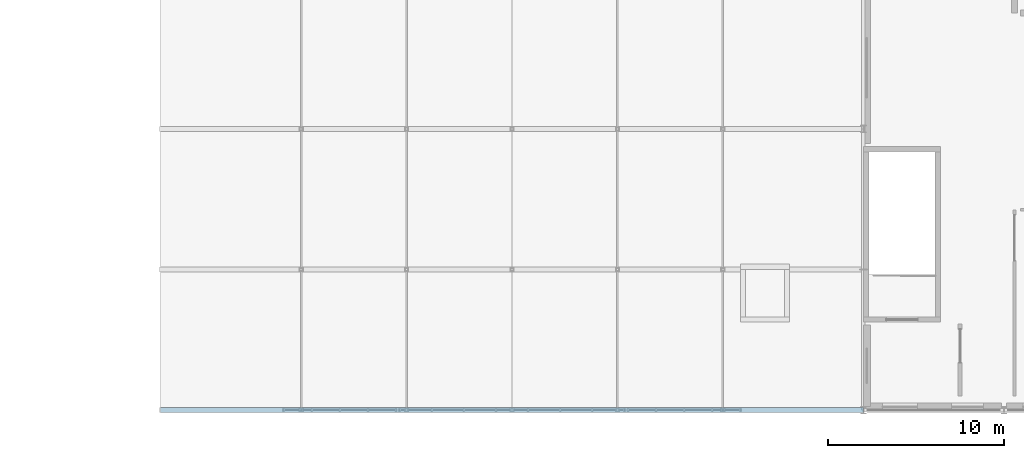
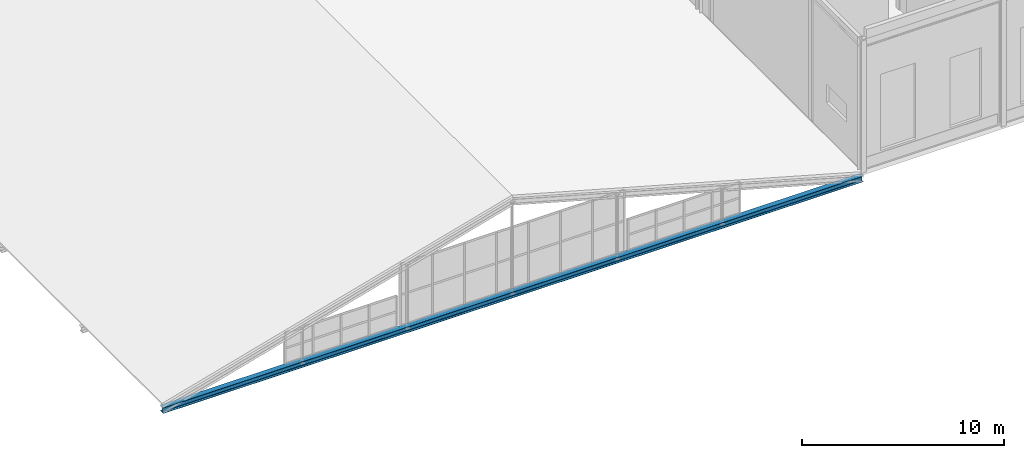
# One storey, part 8 of 49: 1 member.
"""IFC4 building model written with IfcOpenShell, lengths in metres."""

from ifc_helpers import new_model, si_unit, direction, frame, origin, origin_2d, place, context, subcontext, project, spatial, i_section, extrude, material, material_profile, profile_set, type_object, element, save


model = new_model("IFC4")

# Units and contexts
model_context = context("Model", 3, precision=1e-05, world=origin(), true_north=direction((0.0, 1.0)))
body_context = subcontext(model_context, "Body", "Model", "MODEL_VIEW")
ifc_project = project(units=[si_unit("LENGTHUNIT", "METRE"), si_unit("AREAUNIT", "SQUARE_METRE"), si_unit("VOLUMEUNIT", "CUBIC_METRE"), si_unit("PLANEANGLEUNIT", "RADIAN"), si_unit("MASSUNIT", "GRAM", prefix="KILO")], contexts=[model_context])

# Site, building, storey
site_placement = place(None, origin())
site = spatial("IfcSite", under=ifc_project, at=site_placement, CompositionType="ELEMENT")
building_placement = place(site_placement, origin())
building = spatial("IfcBuilding", under=site, at=building_placement, Name="Sundkrona Museum", CompositionType="ELEMENT")
storey_placement = place(building_placement, frame((0.0, 0.0, 26.0)))
storey = spatial("IfcBuildingStorey", under=building, at=storey_placement, Name="L05", CompositionType="ELEMENT", Elevation=26.0)

# Member
ifc_material = material(Name="Steel S355J2", Category="steel")
ifc_material_profile = material_profile(ifc_material, i_section(OverallWidth=0.300048828125, OverallDepth=0.35009765625, WebThickness=0.010009765625, FlangeThickness=0.017578125, FilletRadius=0.027099609375, at=origin_2d()), Name="HEA 360")
ifc_profile_set = profile_set([ifc_material_profile], Name="Steel S355J2")
member_type = type_object("IfcMemberType", Name="TC-HEA360", PredefinedType="CHORD", material=ifc_profile_set)
member_placement = place(storey_placement, frame((80.0, 0.0, -0.39990234375), z_axis=(1.0, 0.0, 0.0), x_axis=(0.0, 1.0, 0.0)))
element("IfcMember", 1, at=member_placement, inside=storey, type_object=member_type, Name="RFS-1 Atrium Truss 1 Continuous Tie Chord", PredefinedType="CHORD", context=body_context, shape_type="SweptSolid", body=[
    extrude(i_section(OverallWidth=0.300048828125, OverallDepth=0.35009765625, WebThickness=0.010009765625, FlangeThickness=0.017578125, FilletRadius=0.027099609375, at=origin_2d()), origin(), (0.0, 0.0, 1.0), 40.0),
])

save(model, "model.ifc")
